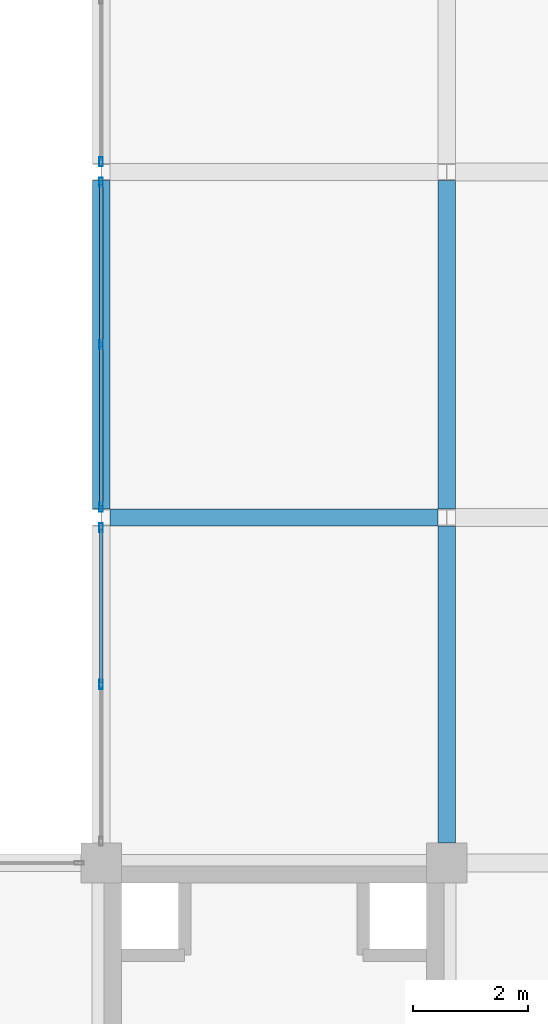
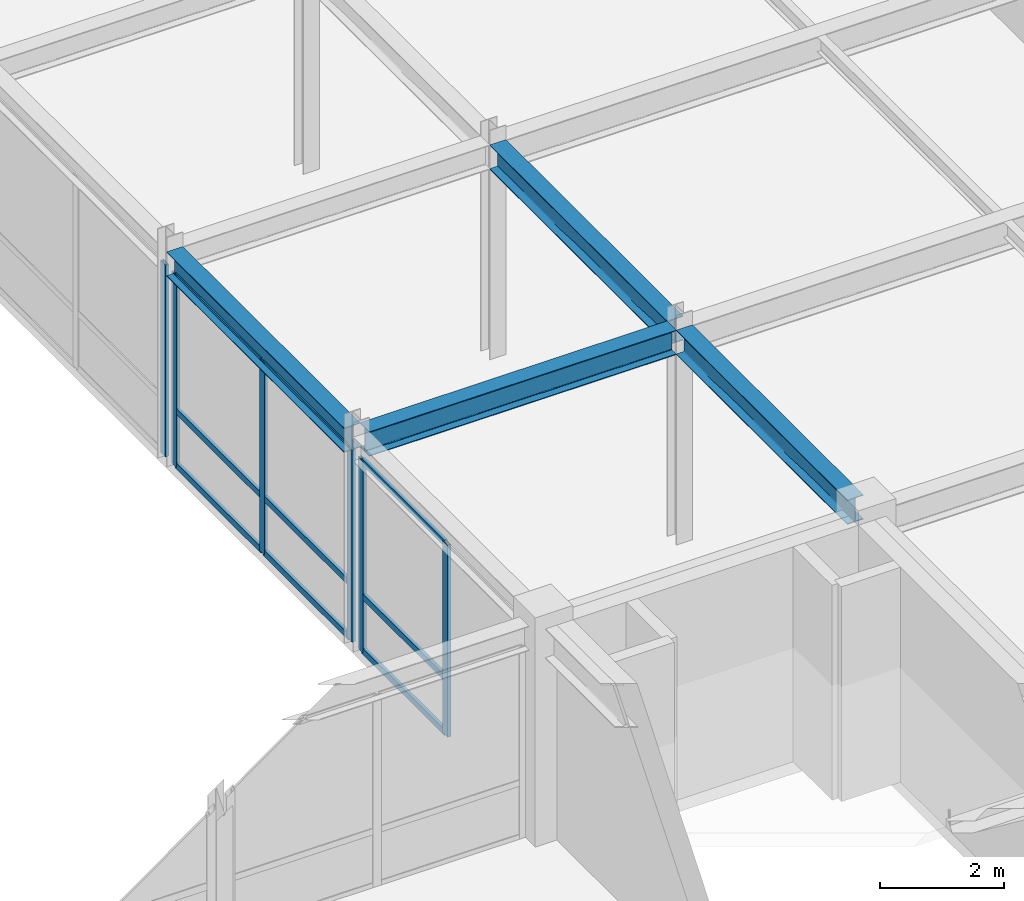
# One storey, part 84 of 108: 15 members, 4 beams, 3 elements without a shape of their own.
"""IFC4 building model written with IfcOpenShell, lengths in metres."""

from ifc_helpers import new_model, si_unit, direction, frame, origin, origin_2d, place, context, subcontext, project, spatial, hollow_rectangle, i_section, extrude, material, layer, layer_set, material_profile, profile_set, type_object, element, aggregate, save


model = new_model("IFC4")

# Units and contexts
model_context = context("Model", 3, precision=1e-05, world=origin(), true_north=direction((0.0, 1.0)))
body_context = subcontext(model_context, "Body", "Model", "MODEL_VIEW")
ifc_project = project(units=[si_unit("LENGTHUNIT", "METRE"), si_unit("AREAUNIT", "SQUARE_METRE"), si_unit("VOLUMEUNIT", "CUBIC_METRE"), si_unit("PLANEANGLEUNIT", "RADIAN"), si_unit("MASSUNIT", "GRAM", prefix="KILO")], contexts=[model_context])

# Site, building, storey
site_placement = place(None, origin())
site = spatial("IfcSite", under=ifc_project, at=site_placement, CompositionType="ELEMENT")
building_placement = place(site_placement, origin())
building = spatial("IfcBuilding", under=site, at=building_placement, Name="Zlatovratsky Civic Hall", CompositionType="ELEMENT")
storey_placement = place(building_placement, frame((0.0, 0.0, 12.0)))
storey = spatial("IfcBuildingStorey", under=building, at=storey_placement, Name="L03", CompositionType="ELEMENT", Elevation=12.0)

# Beams
ifc_material_1 = material(Name="Steel S355", Category="steel")
ifc_material_profile_1 = material_profile(ifc_material_1, i_section(OverallWidth=0.300048828125, OverallDepth=0.48193359375, WebThickness=0.010986328125, FlangeThickness=0.014892578125, FilletRadius=0.02392578125, at=origin_2d()), Name="50Sh1")
ifc_profile_set_1 = profile_set([ifc_material_profile_1], Name="Steel S355")
beam_type = type_object("IfcBeamType", Name="Beam_LibraryGirder_50Sh1", PredefinedType="BEAM", material=ifc_profile_set_1)
beam_1_placement = place(storey_placement, frame((150.1494140625, 36.0, 3.97900390625), z_axis=(1.0, 0.0, 0.0), x_axis=(0.0, 1.0, 0.0)))
element("IfcBeam", 1, at=beam_1_placement, inside=storey, type_object=beam_type, Name="BM-2557", PredefinedType="BEAM", context=body_context, shape_type="SweptSolid", body=[
    extrude(i_section(OverallWidth=0.300048828125, OverallDepth=0.48193359375, WebThickness=0.010986328125, FlangeThickness=0.014892578125, FilletRadius=0.02392578125, at=origin_2d()), origin(), (0.0, 0.0, 1.0), 5.701171875),
])
beam_2_placement = place(storey_placement, frame((150.0, 36.14794921875, 3.97900390625), z_axis=(0.0, 1.0, 0.0), x_axis=(-1.0, 0.0, 0.0)))
element("IfcBeam", 2, at=beam_2_placement, inside=storey, type_object=beam_type, Name="BM-3073", PredefinedType="BEAM", context=body_context, shape_type="SweptSolid", body=[
    extrude(i_section(OverallWidth=0.300048828125, OverallDepth=0.48193359375, WebThickness=0.010986328125, FlangeThickness=0.014892578125, FilletRadius=0.02392578125, at=origin_2d()), origin(), (0.0, 0.0, 1.0), 5.7041015625),
])
beam_3_placement = place(storey_placement, frame((156.0, 30.35009765625, 3.97900390625), z_axis=(0.0, 1.0, 0.0), x_axis=(-1.0, 0.0, 0.0)))
element("IfcBeam", 3, at=beam_3_placement, inside=storey, type_object=beam_type, Name="BM-3089", PredefinedType="BEAM", context=body_context, shape_type="SweptSolid", body=[
    extrude(i_section(OverallWidth=0.300048828125, OverallDepth=0.48193359375, WebThickness=0.010986328125, FlangeThickness=0.014892578125, FilletRadius=0.02392578125, at=origin_2d()), origin(), (0.0, 0.0, 1.0), 5.501953125),
])
beam_4_placement = place(storey_placement, frame((156.0, 36.14794921875, 3.97900390625), z_axis=(0.0, 1.0, 0.0), x_axis=(-1.0, 0.0, 0.0)))
element("IfcBeam", 4, at=beam_4_placement, inside=storey, type_object=beam_type, Name="BM-3090", PredefinedType="BEAM", context=body_context, shape_type="SweptSolid", body=[
    extrude(i_section(OverallWidth=0.300048828125, OverallDepth=0.48193359375, WebThickness=0.010986328125, FlangeThickness=0.014892578125, FilletRadius=0.02392578125, at=origin_2d()), origin(), (0.0, 0.0, 1.0), 5.7041015625),
])

# Curtain wall, members
ifc_material_2 = material(Name="Anodised bronze aluminium", Category="aluminium")
ifc_layer_1 = layer(ifc_material_2, 0.159912109375)
ifc_layer_set_1 = layer_set([ifc_layer_1], Name="Anodised bronze aluminium")
curtain_wall_type_1 = type_object("IfcCurtainWallType", Name="CurtainWall_Bronze_5500x3770_10", PredefinedType="NOTDEFINED", material=ifc_layer_set_1)
curtain_wall_1_placement = place(storey_placement, origin())
curtain_wall_1 = element("IfcCurtainWall", 5, at=curtain_wall_1_placement, inside=storey, type_object=curtain_wall_type_1, Name="CW-081", PredefinedType="NOTDEFINED")
ifc_material_profile_2 = material_profile(ifc_material_2, hollow_rectangle(XDim=0.06005859375, YDim=0.159912109375, WallThickness=0.00390625, at=origin_2d()), Name="ALU 60x160x4")
ifc_profile_set_2 = profile_set([ifc_material_profile_2], Name="Anodised bronze aluminium")
member_type_1 = type_object("IfcMemberType", Name="CW_Mullion_60x160", PredefinedType="MULLION", material=ifc_profile_set_2)
member_1_placement = place(storey_placement, frame((150.0, 33.10107421875, 0.0), z_axis=(0.0, 0.0, 1.0), x_axis=(-1.0, 0.0, 0.0)))
member_1 = element("IfcMember", 6, at=member_1_placement, type_object=member_type_1, Name="CW-10 mullion 2", PredefinedType="MULLION", context=body_context, shape_type="SweptSolid", body=[
    extrude(hollow_rectangle(XDim=0.06005859375, YDim=0.159912109375, WallThickness=0.00390625, at=origin_2d()), origin(), (0.0, 0.0, 1.0), 3.77001953125),
])
member_2_placement = place(storey_placement, frame((150.0, 35.822021484375, 0.0), z_axis=(0.0, 0.0, 1.0), x_axis=(-1.0, 0.0, 0.0)))
member_2 = element("IfcMember", 7, at=member_2_placement, type_object=member_type_1, Name="CW-10 mullion 3", PredefinedType="MULLION", context=body_context, shape_type="SweptSolid", body=[
    extrude(hollow_rectangle(XDim=0.06005859375, YDim=0.159912109375, WallThickness=0.00390625, at=origin_2d()), origin(), (0.0, 0.0, 1.0), 3.77001953125),
])

ifc_layer_2 = layer(ifc_material_2, 0.159912109375)
ifc_layer_set_2 = layer_set([ifc_layer_2], Name="Anodised bronze aluminium")
curtain_wall_type_2 = type_object("IfcCurtainWallType", Name="CurtainWall_Bronze_5700x3770_12", PredefinedType="NOTDEFINED", material=ifc_layer_set_2)
curtain_wall_2_placement = place(storey_placement, origin())
curtain_wall_2 = element("IfcCurtainWall", 8, at=curtain_wall_2_placement, inside=storey, type_object=curtain_wall_type_2, Name="CW-082", PredefinedType="NOTDEFINED")
member_3_placement = place(storey_placement, frame((150.0, 36.177978515625, 0.0), z_axis=(0.0, 0.0, 1.0), x_axis=(-1.0, 0.0, 0.0)))
member_3 = element("IfcMember", 9, at=member_3_placement, type_object=member_type_1, Name="CW-12 mullion 1", PredefinedType="MULLION", context=body_context, shape_type="SweptSolid", body=[
    extrude(hollow_rectangle(XDim=0.06005859375, YDim=0.159912109375, WallThickness=0.00390625, at=origin_2d()), origin(), (0.0, 0.0, 1.0), 3.77001953125),
])
member_4_placement = place(storey_placement, frame((150.0, 39.0, 0.0), z_axis=(0.0, 0.0, 1.0), x_axis=(-1.0, 0.0, 0.0)))
member_4 = element("IfcMember", 10, at=member_4_placement, type_object=member_type_1, Name="CW-12 mullion 2", PredefinedType="MULLION", context=body_context, shape_type="SweptSolid", body=[
    extrude(hollow_rectangle(XDim=0.06005859375, YDim=0.159912109375, WallThickness=0.00390625, at=origin_2d()), origin(), (0.0, 0.0, 1.0), 3.77001953125),
])
member_5_placement = place(storey_placement, frame((150.0, 41.822021484375, 0.0), z_axis=(0.0, 0.0, 1.0), x_axis=(-1.0, 0.0, 0.0)))
member_5 = element("IfcMember", 11, at=member_5_placement, type_object=member_type_1, Name="CW-12 mullion 3", PredefinedType="MULLION", context=body_context, shape_type="SweptSolid", body=[
    extrude(hollow_rectangle(XDim=0.06005859375, YDim=0.159912109375, WallThickness=0.00390625, at=origin_2d()), origin(), (0.0, 0.0, 1.0), 3.77001953125),
])

# Curtain wall, member
curtain_wall_3_placement = place(storey_placement, origin())
curtain_wall_3 = element("IfcCurtainWall", 12, at=curtain_wall_3_placement, inside=storey, type_object=curtain_wall_type_2, Name="CW-083", PredefinedType="NOTDEFINED")
member_6_placement = place(storey_placement, frame((150.0, 42.177978515625, 0.0), z_axis=(0.0, 0.0, 1.0), x_axis=(-1.0, 0.0, 0.0)))
member_6 = element("IfcMember", 13, at=member_6_placement, type_object=member_type_1, Name="CW-12 mullion 1", PredefinedType="MULLION", context=body_context, shape_type="SweptSolid", body=[
    extrude(hollow_rectangle(XDim=0.06005859375, YDim=0.159912109375, WallThickness=0.00390625, at=origin_2d()), origin(), (0.0, 0.0, 1.0), 3.77001953125),
])
aggregate(curtain_wall_3, [member_6])

# Member
ifc_material_profile_3 = material_profile(ifc_material_2, hollow_rectangle(XDim=0.06005859375, YDim=0.1201171875, WallThickness=0.00390625, at=origin_2d()), Name="ALU 60x120x4")
ifc_profile_set_3 = profile_set([ifc_material_profile_3], Name="Anodised bronze aluminium")
member_type_2 = type_object("IfcMemberType", Name="CW_Transom_60x120", PredefinedType="USERDEFINED", material=ifc_profile_set_3)
member_7_placement = place(storey_placement, frame((150.0, 33.131103515625, 0.030029296875), z_axis=(0.0, 1.0, 0.0), x_axis=(-1.0, 0.0, 0.0)))
member_7 = element("IfcMember", 14, at=member_7_placement, type_object=member_type_2, Name="CW-10 transom 2.1", ObjectType="TRANSOM", PredefinedType="USERDEFINED", context=body_context, shape_type="SweptSolid", body=[
    extrude(hollow_rectangle(XDim=0.06005859375, YDim=0.1201171875, WallThickness=0.00390625, at=origin_2d()), origin(), (0.0, 0.0, 1.0), 2.660888671875),
])

member_8_placement = place(storey_placement, frame((150.0, 33.131103515625, 1.10009765625), z_axis=(0.0, 1.0, 0.0), x_axis=(-1.0, 0.0, 0.0)))
member_8 = element("IfcMember", 15, at=member_8_placement, type_object=member_type_2, Name="CW-10 transom 2.2", ObjectType="TRANSOM", PredefinedType="USERDEFINED", context=body_context, shape_type="SweptSolid", body=[
    extrude(hollow_rectangle(XDim=0.06005859375, YDim=0.1201171875, WallThickness=0.00390625, at=origin_2d()), origin(), (0.0, 0.0, 1.0), 2.660888671875),
])

member_9_placement = place(storey_placement, frame((150.0, 33.131103515625, 3.739990234375), z_axis=(0.0, 1.0, 0.0), x_axis=(-1.0, 0.0, 0.0)))
member_9 = element("IfcMember", 16, at=member_9_placement, type_object=member_type_2, Name="CW-10 transom 2.3", ObjectType="TRANSOM", PredefinedType="USERDEFINED", context=body_context, shape_type="SweptSolid", body=[
    extrude(hollow_rectangle(XDim=0.06005859375, YDim=0.1201171875, WallThickness=0.00390625, at=origin_2d()), origin(), (0.0, 0.0, 1.0), 2.660888671875),
])

aggregate(curtain_wall_1, [member_1, member_2, member_7, member_8, member_9])

member_10_placement = place(storey_placement, frame((150.0, 36.2080078125, 0.030029296875), z_axis=(0.0, 1.0, 0.0), x_axis=(-1.0, 0.0, 0.0)))
member_10 = element("IfcMember", 17, at=member_10_placement, type_object=member_type_2, Name="CW-12 transom 1.1", ObjectType="TRANSOM", PredefinedType="USERDEFINED", context=body_context, shape_type="SweptSolid", body=[
    extrude(hollow_rectangle(XDim=0.06005859375, YDim=0.1201171875, WallThickness=0.00390625, at=origin_2d()), origin(), (0.0, 0.0, 1.0), 2.761962890625),
])

member_11_placement = place(storey_placement, frame((150.0, 36.2080078125, 1.10009765625), z_axis=(0.0, 1.0, 0.0), x_axis=(-1.0, 0.0, 0.0)))
member_11 = element("IfcMember", 18, at=member_11_placement, type_object=member_type_2, Name="CW-12 transom 1.2", ObjectType="TRANSOM", PredefinedType="USERDEFINED", context=body_context, shape_type="SweptSolid", body=[
    extrude(hollow_rectangle(XDim=0.06005859375, YDim=0.1201171875, WallThickness=0.00390625, at=origin_2d()), origin(), (0.0, 0.0, 1.0), 2.761962890625),
])

member_12_placement = place(storey_placement, frame((150.0, 36.2080078125, 3.739990234375), z_axis=(0.0, 1.0, 0.0), x_axis=(-1.0, 0.0, 0.0)))
member_12 = element("IfcMember", 19, at=member_12_placement, type_object=member_type_2, Name="CW-12 transom 1.3", ObjectType="TRANSOM", PredefinedType="USERDEFINED", context=body_context, shape_type="SweptSolid", body=[
    extrude(hollow_rectangle(XDim=0.06005859375, YDim=0.1201171875, WallThickness=0.00390625, at=origin_2d()), origin(), (0.0, 0.0, 1.0), 2.761962890625),
])

member_13_placement = place(storey_placement, frame((150.0, 39.030029296875, 0.030029296875), z_axis=(0.0, 1.0, 0.0), x_axis=(-1.0, 0.0, 0.0)))
member_13 = element("IfcMember", 20, at=member_13_placement, type_object=member_type_2, Name="CW-12 transom 2.1", ObjectType="TRANSOM", PredefinedType="USERDEFINED", context=body_context, shape_type="SweptSolid", body=[
    extrude(hollow_rectangle(XDim=0.06005859375, YDim=0.1201171875, WallThickness=0.00390625, at=origin_2d()), origin(), (0.0, 0.0, 1.0), 2.761962890625),
])

member_14_placement = place(storey_placement, frame((150.0, 39.030029296875, 1.10009765625), z_axis=(0.0, 1.0, 0.0), x_axis=(-1.0, 0.0, 0.0)))
member_14 = element("IfcMember", 21, at=member_14_placement, type_object=member_type_2, Name="CW-12 transom 2.2", ObjectType="TRANSOM", PredefinedType="USERDEFINED", context=body_context, shape_type="SweptSolid", body=[
    extrude(hollow_rectangle(XDim=0.06005859375, YDim=0.1201171875, WallThickness=0.00390625, at=origin_2d()), origin(), (0.0, 0.0, 1.0), 2.761962890625),
])

member_15_placement = place(storey_placement, frame((150.0, 39.030029296875, 3.739990234375), z_axis=(0.0, 1.0, 0.0), x_axis=(-1.0, 0.0, 0.0)))
member_15 = element("IfcMember", 22, at=member_15_placement, type_object=member_type_2, Name="CW-12 transom 2.3", ObjectType="TRANSOM", PredefinedType="USERDEFINED", context=body_context, shape_type="SweptSolid", body=[
    extrude(hollow_rectangle(XDim=0.06005859375, YDim=0.1201171875, WallThickness=0.00390625, at=origin_2d()), origin(), (0.0, 0.0, 1.0), 2.761962890625),
])

aggregate(curtain_wall_2, [member_3, member_4, member_5, member_10, member_11, member_12, member_13, member_14, member_15])

save(model, "model.ifc")
